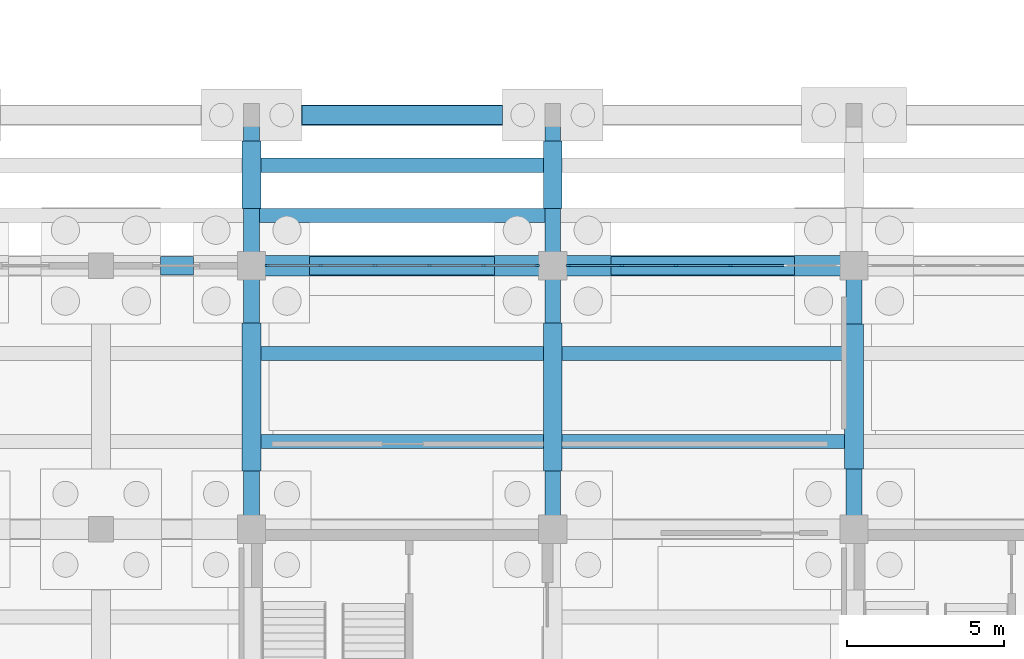
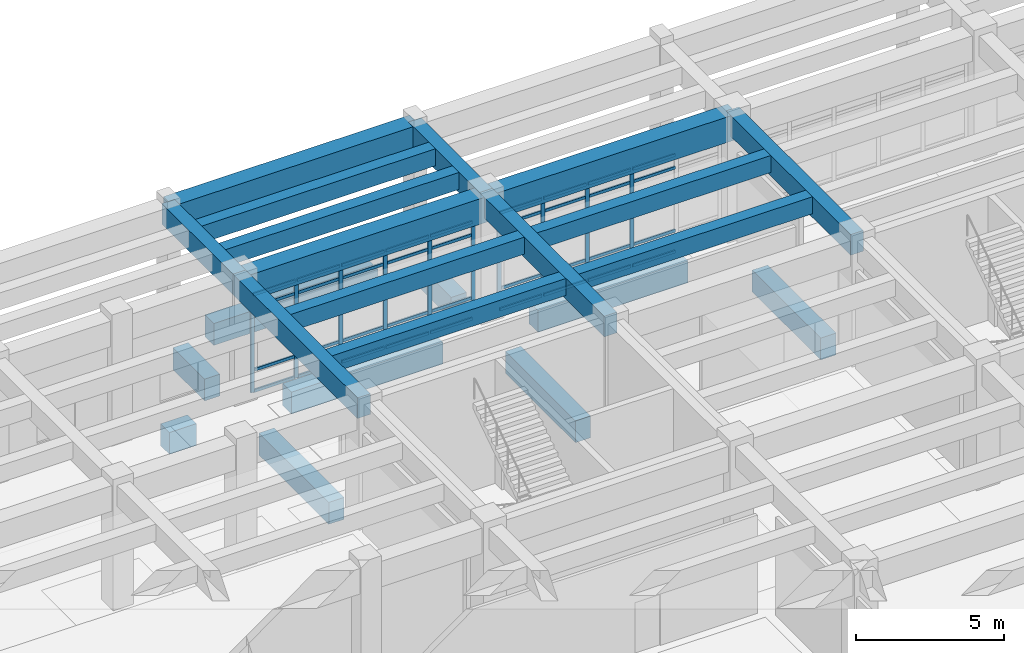
# One storey, part 25 of 102: 46 members, 23 beams, 2 elements without a shape of their own.
"""IFC4 building model written with IfcOpenShell, lengths in metres."""

from ifc_helpers import new_model, si_unit, direction, frame, origin, origin_2d, place, context, subcontext, project, spatial, rectangle, extrude, material, layer, layer_set, material_profile, profile_set, type_object, element, aggregate, save


model = new_model("IFC4")

# Units and contexts
model_context = context("Model", 3, precision=1e-05, world=origin(), true_north=direction((0.0, 1.0)))
body_context = subcontext(model_context, "Body", "Model", "MODEL_VIEW")
ifc_project = project(units=[si_unit("LENGTHUNIT", "METRE"), si_unit("AREAUNIT", "SQUARE_METRE"), si_unit("VOLUMEUNIT", "CUBIC_METRE"), si_unit("PLANEANGLEUNIT", "RADIAN"), si_unit("MASSUNIT", "GRAM", prefix="KILO")], contexts=[model_context])

# Site, building, storey
site_placement = place(None, origin())
site = spatial("IfcSite", under=ifc_project, at=site_placement, CompositionType="ELEMENT")
building_placement = place(site_placement, origin())
building = spatial("IfcBuilding", under=site, at=building_placement, Name="Kolvemor Railside Polytechnic", CompositionType="ELEMENT")
storey_placement = place(building_placement, origin())
storey = spatial("IfcBuildingStorey", under=building, at=storey_placement, Name="L00", CompositionType="ELEMENT", Elevation=0.0)

# Beams
ifc_material_1 = material(Name="Concrete C40/50", Category="concrete")
ifc_material_profile_1 = material_profile(ifc_material_1, rectangle(XDim=0.64990234375, YDim=1.050048828125, at=origin_2d()), Name="RC650x1050")
ifc_profile_set_1 = profile_set([ifc_material_profile_1], Name="Concrete C40/50")
beam_type_1 = type_object("IfcBeamType", Name="BM-RC-GIRD2", PredefinedType="BEAM", material=ifc_profile_set_1)
beam_1_placement = place(storey_placement, frame((67.199951171875, 38.39990234375, 4.5849609375), z_axis=(1.0, 0.0, 0.0), x_axis=(0.0, 1.0, 0.0)))
element("IfcBeam", 1, at=beam_1_placement, inside=storey, type_object=beam_type_1, Name="Primary Girder L01-GX 0229", PredefinedType="BEAM", context=body_context, shape_type="SweptSolid", body=[
    extrude(rectangle(XDim=0.64990234375, YDim=1.050048828125, at=origin_2d()), origin(), (0.0, 0.0, 1.0), 9.60009765625),
])
beam_2_placement = place(storey_placement, frame((76.800048828125, 38.39990234375, 4.5849609375), z_axis=(1.0, 0.0, 0.0), x_axis=(0.0, 1.0, 0.0)))
element("IfcBeam", 2, at=beam_2_placement, inside=storey, type_object=beam_type_1, Name="Primary Girder L01-GX 0230", PredefinedType="BEAM", context=body_context, shape_type="SweptSolid", body=[
    extrude(rectangle(XDim=0.64990234375, YDim=1.050048828125, at=origin_2d()), origin(), (0.0, 0.0, 1.0), 9.599853515625),
])
beam_3_placement = place(storey_placement, frame((67.199951171875, 43.199951171875, 4.5849609375), z_axis=(1.0, 0.0, 0.0), x_axis=(0.0, 1.0, 0.0)))
element("IfcBeam", 3, at=beam_3_placement, inside=storey, type_object=beam_type_1, Name="Primary Girder L01-GX 1836", PredefinedType="BEAM", context=body_context, shape_type="SweptSolid", body=[
    extrude(rectangle(XDim=0.64990234375, YDim=1.050048828125, at=origin_2d()), origin(), (0.0, 0.0, 1.0), 9.60009765625),
])
ifc_material_2 = material(Name="Concrete C40/50", Category="concrete")
ifc_material_profile_2 = material_profile(ifc_material_2, rectangle(XDim=0.5, YDim=0.85009765625, at=origin_2d()), Name="RC500x850")
ifc_profile_set_2 = profile_set([ifc_material_profile_2], Name="Concrete C40/50")
beam_type_2 = type_object("IfcBeamType", Name="BM-RC-GIRD3", PredefinedType="BEAM", material=ifc_profile_set_2)
for number, where, z_axis, x_axis, name in (
    (4, (67.199951171875, 30.0, 4.68505859375), (0.0, 1.0, 0.0), (-1.0, 0.0, 0.0), "Primary Girder L01-GY 0243"),
    (5, (76.800048828125, 30.0, 4.68505859375), (0.0, 1.0, 0.0), (-1.0, 0.0, 0.0), "Primary Girder L01-GY 0247"),
    (6, (86.39990234375, 30.0, 4.68505859375), (0.0, 1.0, 0.0), (-1.0, 0.0, 0.0), "Primary Girder L01-GY 0251"),
):
    element("IfcBeam", number, at=place(storey_placement, frame(where, z_axis=z_axis, x_axis=x_axis)), inside=storey, type_object=beam_type_2, Name=name, PredefinedType="BEAM", context=body_context, shape_type="SweptSolid", body=[
        extrude(rectangle(XDim=0.5, YDim=0.85009765625, at=origin_2d()), origin(), (0.0, 0.0, 1.0), 8.39990234375),
    ])
for number, where, z_axis, x_axis, name in (
    (7, (67.199951171875, 38.39990234375, 4.68505859375), (0.0, 1.0, 0.0), (-1.0, 0.0, 0.0), "Primary Girder L01-GY 1843"),
    (8, (76.800048828125, 38.39990234375, 4.68505859375), (0.0, 1.0, 0.0), (-1.0, 0.0, 0.0), "Primary Girder L01-GY 1844"),
):
    element("IfcBeam", number, at=place(storey_placement, frame(where, z_axis=z_axis, x_axis=x_axis)), inside=storey, type_object=beam_type_2, Name=name, PredefinedType="BEAM", context=body_context, shape_type="SweptSolid", body=[
        extrude(rectangle(XDim=0.5, YDim=0.85009765625, at=origin_2d()), origin(), (0.0, 0.0, 1.0), 4.800048828125),
    ])
ifc_material_3 = material(Name="Concrete C40/50", Category="concrete")
ifc_material_profile_3 = material_profile(ifc_material_3, rectangle(XDim=0.449951171875, YDim=0.699951171875, at=origin_2d()), Name="RC450x700")
ifc_profile_set_3 = profile_set([ifc_material_profile_3], Name="Concrete C40/50")
beam_type_3 = type_object("IfcBeamType", Name="BM-RC-SEC2", PredefinedType="JOIST", material=ifc_profile_set_3)
for number, where, z_axis, x_axis, name in (
    (9, (67.449951171875, 32.800048828125, 4.760009765625), (1.0, 0.0, 0.0), (0.0, 1.0, 0.0), "Floor Joist L01-J0292"),
    (10, (67.449951171875, 35.60009765625, 4.760009765625), (1.0, 0.0, 0.0), (0.0, 1.0, 0.0), "Floor Joist L01-J0293"),
):
    element("IfcBeam", number, at=place(storey_placement, frame(where, z_axis=z_axis, x_axis=x_axis)), inside=storey, type_object=beam_type_3, Name=name, PredefinedType="JOIST", context=body_context, shape_type="SweptSolid", body=[
        extrude(rectangle(XDim=0.449951171875, YDim=0.699951171875, at=origin_2d()), origin(), (0.0, 0.0, 1.0), 9.10009765625),
    ])
for number, where, z_axis, x_axis, name in (
    (11, (77.050048828125, 32.800048828125, 4.760009765625), (1.0, 0.0, 0.0), (0.0, 1.0, 0.0), "Floor Joist L01-J0300"),
    (12, (77.050048828125, 35.60009765625, 4.760009765625), (1.0, 0.0, 0.0), (0.0, 1.0, 0.0), "Floor Joist L01-J0301"),
):
    element("IfcBeam", number, at=place(storey_placement, frame(where, z_axis=z_axis, x_axis=x_axis)), inside=storey, type_object=beam_type_3, Name=name, PredefinedType="JOIST", context=body_context, shape_type="SweptSolid", body=[
        extrude(rectangle(XDim=0.449951171875, YDim=0.699951171875, at=origin_2d()), origin(), (0.0, 0.0, 1.0), 9.099853515625),
    ])
for number, where, z_axis, x_axis, name in (
    (13, (67.449951171875, 40.0, 4.760009765625), (1.0, 0.0, 0.0), (0.0, 1.0, 0.0), "Floor Joist L01-J1852"),
    (14, (67.449951171875, 41.60009765625, 4.760009765625), (1.0, 0.0, 0.0), (0.0, 1.0, 0.0), "Floor Joist L01-J1853"),
):
    element("IfcBeam", number, at=place(storey_placement, frame(where, z_axis=z_axis, x_axis=x_axis)), inside=storey, type_object=beam_type_3, Name=name, PredefinedType="JOIST", context=body_context, shape_type="SweptSolid", body=[
        extrude(rectangle(XDim=0.449951171875, YDim=0.699951171875, at=origin_2d()), origin(), (0.0, 0.0, 1.0), 9.10009765625),
    ])
ifc_material_4 = material(Name="Concrete C40/50", Category="concrete")
ifc_material_profile_4 = material_profile(ifc_material_4, rectangle(XDim=0.60009765625, YDim=0.89990234375, at=origin_2d()), Name="RC600x900")
ifc_profile_set_4 = profile_set([ifc_material_profile_4], Name="Concrete C40/50")
beam_type_4 = type_object("IfcBeamType", Name="BM-RC-TIE", PredefinedType="BEAM", material=ifc_profile_set_4)
beam_4_placement = place(storey_placement, frame((64.302001953125, 38.39990234375, -0.75), z_axis=(1.0, 0.0, 0.0), x_axis=(0.0, 1.0, 0.0)))
element("IfcBeam", 15, at=beam_4_placement, inside=storey, type_object=beam_type_4, Name="Ground Tie Beam GTB-X114", PredefinedType="BEAM", context=body_context, shape_type="SweptSolid", body=[
    extrude(rectangle(XDim=0.60009765625, YDim=0.89990234375, at=origin_2d()), origin(), (0.0, 0.0, 1.0), 1.0458984375),
])
beam_5_placement = place(storey_placement, frame((69.052001953125, 38.39990234375, -0.75), z_axis=(1.0, 0.0, 0.0), x_axis=(0.0, 1.0, 0.0)))
element("IfcBeam", 16, at=beam_5_placement, inside=storey, type_object=beam_type_4, Name="Ground Tie Beam GTB-X115", PredefinedType="BEAM", context=body_context, shape_type="SweptSolid", body=[
    extrude(rectangle(XDim=0.60009765625, YDim=0.89990234375, at=origin_2d()), origin(), (0.0, 0.0, 1.0), 5.89599609375),
])
beam_6_placement = place(storey_placement, frame((78.652099609375, 38.39990234375, -0.75), z_axis=(1.0, 0.0, 0.0), x_axis=(0.0, 1.0, 0.0)))
element("IfcBeam", 17, at=beam_6_placement, inside=storey, type_object=beam_type_4, Name="Ground Tie Beam GTB-X116", PredefinedType="BEAM", context=body_context, shape_type="SweptSolid", body=[
    extrude(rectangle(XDim=0.60009765625, YDim=0.89990234375, at=origin_2d()), origin(), (0.0, 0.0, 1.0), 5.845947265625),
])
beam_7_placement = place(storey_placement, frame((68.802001953125, 43.199951171875, -0.75), z_axis=(1.0, 0.0, 0.0), x_axis=(0.0, 1.0, 0.0)))
element("IfcBeam", 18, at=beam_7_placement, inside=storey, type_object=beam_type_4, Name="Ground Tie Beam GTB-X129", PredefinedType="BEAM", context=body_context, shape_type="SweptSolid", body=[
    extrude(rectangle(XDim=0.60009765625, YDim=0.89990234375, at=origin_2d()), origin(), (0.0, 0.0, 1.0), 6.39599609375),
])
beam_8_placement = place(storey_placement, frame((67.199951171875, 31.85205078125, -0.75), z_axis=(0.0, 1.0, 0.0), x_axis=(-1.0, 0.0, 0.0)))
element("IfcBeam", 19, at=beam_8_placement, inside=storey, type_object=beam_type_4, Name="Ground Tie Beam GTB-Y316", PredefinedType="BEAM", context=body_context, shape_type="SweptSolid", body=[
    extrude(rectangle(XDim=0.60009765625, YDim=0.89990234375, at=origin_2d()), origin(), (0.0, 0.0, 1.0), 4.720947265625),
])
beam_9_placement = place(storey_placement, frame((67.199951171875, 40.22705078125, -0.75), z_axis=(0.0, 1.0, 0.0), x_axis=(-1.0, 0.0, 0.0)))
element("IfcBeam", 20, at=beam_9_placement, inside=storey, type_object=beam_type_4, Name="Ground Tie Beam GTB-Y317", PredefinedType="BEAM", context=body_context, shape_type="SweptSolid", body=[
    extrude(rectangle(XDim=0.60009765625, YDim=0.89990234375, at=origin_2d()), origin(), (0.0, 0.0, 1.0), 2.14599609375),
])
beam_10_placement = place(storey_placement, frame((76.800048828125, 31.85205078125, -0.75), z_axis=(0.0, 1.0, 0.0), x_axis=(-1.0, 0.0, 0.0)))
element("IfcBeam", 21, at=beam_10_placement, inside=storey, type_object=beam_type_4, Name="Ground Tie Beam GTB-Y326", PredefinedType="BEAM", context=body_context, shape_type="SweptSolid", body=[
    extrude(rectangle(XDim=0.60009765625, YDim=0.89990234375, at=origin_2d()), origin(), (0.0, 0.0, 1.0), 4.720947265625),
])
beam_11_placement = place(storey_placement, frame((76.800048828125, 40.22705078125, -0.75), z_axis=(0.0, 1.0, 0.0), x_axis=(-1.0, 0.0, 0.0)))
element("IfcBeam", 22, at=beam_11_placement, inside=storey, type_object=beam_type_4, Name="Ground Tie Beam GTB-Y327", PredefinedType="BEAM", context=body_context, shape_type="SweptSolid", body=[
    extrude(rectangle(XDim=0.60009765625, YDim=0.89990234375, at=origin_2d()), origin(), (0.0, 0.0, 1.0), 2.14599609375),
])
beam_12_placement = place(storey_placement, frame((86.39990234375, 31.927001953125, -0.75), z_axis=(0.0, 1.0, 0.0), x_axis=(-1.0, 0.0, 0.0)))
element("IfcBeam", 23, at=beam_12_placement, inside=storey, type_object=beam_type_4, Name="Ground Tie Beam GTB-Y336", PredefinedType="BEAM", context=body_context, shape_type="SweptSolid", body=[
    extrude(rectangle(XDim=0.60009765625, YDim=0.89990234375, at=origin_2d()), origin(), (0.0, 0.0, 1.0), 4.62109375),
])

# Curtain wall, members
ifc_material_5 = material(Name="Anodised marine aluminium and laminated low-E glass", Category="aluminium")
ifc_layer = layer(ifc_material_5, 0.179931640625, Name="CW-UNIT-STD")
ifc_layer_set = layer_set([ifc_layer], Name="Anodised marine aluminium and laminated low-E glass")
curtain_wall_type = type_object("IfcCurtainWallType", Name="CW-UNIT-STD", PredefinedType="USERDEFINED", material=ifc_layer_set)
curtain_wall_1_placement = place(storey_placement, origin())
curtain_wall_1 = element("IfcCurtainWall", 24, at=curtain_wall_1_placement, inside=storey, type_object=curtain_wall_type, Name="Curtain Wall L00-107", ObjectType="UNITISED CURTAIN WALL", PredefinedType="USERDEFINED")
ifc_material_6 = material(Name="Anodised marine aluminium 6063-T6", Category="aluminium")
ifc_material_profile_5 = material_profile(ifc_material_6, rectangle(XDim=0.06494140625, YDim=0.14990234375, at=origin_2d()), Name="CW-MUL-65x150")
ifc_profile_set_5 = profile_set([ifc_material_profile_5], Name="Anodised marine aluminium 6063-T6")
member_type_1 = type_object("IfcMemberType", Name="CWM-65x150", PredefinedType="MULLION", material=ifc_profile_set_5)
member_1_placement = place(storey_placement, frame((76.297607421875, 38.39990234375, 0.0), z_axis=(0.0, 0.0, 1.0), x_axis=(0.0, -1.0, 0.0)))
member_1 = element("IfcMember", 25, at=member_1_placement, type_object=member_type_1, Name="CW-STD mullion 1", PredefinedType="MULLION", context=body_context, shape_type="SweptSolid", body=[
    extrude(rectangle(XDim=0.06494140625, YDim=0.14990234375, at=origin_2d()), origin(), (0.0, 0.0, 1.0), 4.0400390625),
])
member_2_placement = place(storey_placement, frame((74.597900390625, 38.39990234375, 0.0), z_axis=(0.0, 0.0, 1.0), x_axis=(0.0, -1.0, 0.0)))
member_2 = element("IfcMember", 26, at=member_2_placement, type_object=member_type_1, Name="CW-STD mullion 2", PredefinedType="MULLION", context=body_context, shape_type="SweptSolid", body=[
    extrude(rectangle(XDim=0.06494140625, YDim=0.14990234375, at=origin_2d()), origin(), (0.0, 0.0, 1.0), 4.0400390625),
])
member_3_placement = place(storey_placement, frame((72.865966796875, 38.39990234375, 0.0), z_axis=(0.0, 0.0, 1.0), x_axis=(0.0, -1.0, 0.0)))
member_3 = element("IfcMember", 27, at=member_3_placement, type_object=member_type_1, Name="CW-STD mullion 3", PredefinedType="MULLION", context=body_context, shape_type="SweptSolid", body=[
    extrude(rectangle(XDim=0.06494140625, YDim=0.14990234375, at=origin_2d()), origin(), (0.0, 0.0, 1.0), 4.0400390625),
])
member_4_placement = place(storey_placement, frame((71.134033203125, 38.39990234375, 0.0), z_axis=(0.0, 0.0, 1.0), x_axis=(0.0, -1.0, 0.0)))
member_4 = element("IfcMember", 28, at=member_4_placement, type_object=member_type_1, Name="CW-STD mullion 4", PredefinedType="MULLION", context=body_context, shape_type="SweptSolid", body=[
    extrude(rectangle(XDim=0.06494140625, YDim=0.14990234375, at=origin_2d()), origin(), (0.0, 0.0, 1.0), 4.0400390625),
])
member_5_placement = place(storey_placement, frame((69.402099609375, 38.39990234375, 0.0), z_axis=(0.0, 0.0, 1.0), x_axis=(0.0, -1.0, 0.0)))
member_5 = element("IfcMember", 29, at=member_5_placement, type_object=member_type_1, Name="CW-STD mullion 5", PredefinedType="MULLION", context=body_context, shape_type="SweptSolid", body=[
    extrude(rectangle(XDim=0.06494140625, YDim=0.14990234375, at=origin_2d()), origin(), (0.0, 0.0, 1.0), 4.0400390625),
])
member_6_placement = place(storey_placement, frame((67.702392578125, 38.39990234375, 0.0), z_axis=(0.0, 0.0, 1.0), x_axis=(0.0, -1.0, 0.0)))
member_6 = element("IfcMember", 30, at=member_6_placement, type_object=member_type_1, Name="CW-STD mullion 6", PredefinedType="MULLION", context=body_context, shape_type="SweptSolid", body=[
    extrude(rectangle(XDim=0.06494140625, YDim=0.14990234375, at=origin_2d()), origin(), (0.0, 0.0, 1.0), 4.0400390625),
])

curtain_wall_2_placement = place(storey_placement, origin())
curtain_wall_2 = element("IfcCurtainWall", 31, at=curtain_wall_2_placement, inside=storey, type_object=curtain_wall_type, Name="Curtain Wall L00-108", ObjectType="UNITISED CURTAIN WALL", PredefinedType="USERDEFINED")
member_7_placement = place(storey_placement, frame((82.466064453125, 38.39990234375, 0.0), z_axis=(0.0, 0.0, 1.0), x_axis=(0.0, -1.0, 0.0)))
member_7 = element("IfcMember", 32, at=member_7_placement, type_object=member_type_1, Name="CW-STD mullion 3", PredefinedType="MULLION", context=body_context, shape_type="SweptSolid", body=[
    extrude(rectangle(XDim=0.06494140625, YDim=0.14990234375, at=origin_2d()), origin(), (0.0, 0.0, 1.0), 4.0400390625),
])
member_8_placement = place(storey_placement, frame((80.73388671875, 38.39990234375, 0.0), z_axis=(0.0, 0.0, 1.0), x_axis=(0.0, -1.0, 0.0)))
member_8 = element("IfcMember", 33, at=member_8_placement, type_object=member_type_1, Name="CW-STD mullion 4", PredefinedType="MULLION", context=body_context, shape_type="SweptSolid", body=[
    extrude(rectangle(XDim=0.06494140625, YDim=0.14990234375, at=origin_2d()), origin(), (0.0, 0.0, 1.0), 4.0400390625),
])
member_9_placement = place(storey_placement, frame((79.001953125, 38.39990234375, 0.0), z_axis=(0.0, 0.0, 1.0), x_axis=(0.0, -1.0, 0.0)))
member_9 = element("IfcMember", 34, at=member_9_placement, type_object=member_type_1, Name="CW-STD mullion 5", PredefinedType="MULLION", context=body_context, shape_type="SweptSolid", body=[
    extrude(rectangle(XDim=0.06494140625, YDim=0.14990234375, at=origin_2d()), origin(), (0.0, 0.0, 1.0), 4.0400390625),
])
member_10_placement = place(storey_placement, frame((77.302490234375, 38.39990234375, 0.0), z_axis=(0.0, 0.0, 1.0), x_axis=(0.0, -1.0, 0.0)))
member_10 = element("IfcMember", 35, at=member_10_placement, type_object=member_type_1, Name="CW-STD mullion 6", PredefinedType="MULLION", context=body_context, shape_type="SweptSolid", body=[
    extrude(rectangle(XDim=0.06494140625, YDim=0.14990234375, at=origin_2d()), origin(), (0.0, 0.0, 1.0), 4.0400390625),
])

# Member
ifc_material_7 = material(Name="Anodised marine aluminium 6063-T6", Category="aluminium")
ifc_material_profile_6 = material_profile(ifc_material_7, rectangle(XDim=0.06494140625, YDim=0.1201171875, at=origin_2d()), Name="CW-TRN-65x120")
ifc_profile_set_6 = profile_set([ifc_material_profile_6], Name="Anodised marine aluminium 6063-T6")
member_type_2 = type_object("IfcMemberType", Name="CWT-65x120", PredefinedType="USERDEFINED", material=ifc_profile_set_6)
member_11_placement = place(storey_placement, frame((76.264892578125, 38.39990234375, 0.032470703125), z_axis=(-1.0, 0.0, 0.0), x_axis=(0.0, -1.0, 0.0)))
member_11 = element("IfcMember", 36, at=member_11_placement, type_object=member_type_2, Name="CW-STD transom 1.1", ObjectType="TRANSOM", PredefinedType="USERDEFINED", context=body_context, shape_type="SweptSolid", body=[
    extrude(rectangle(XDim=0.06494140625, YDim=0.1201171875, at=origin_2d()), origin(), (0.0, 0.0, 1.0), 1.63427734375),
])

member_12_placement = place(storey_placement, frame((76.264892578125, 38.39990234375, 0.89990234375), z_axis=(-1.0, 0.0, 0.0), x_axis=(0.0, -1.0, 0.0)))
member_12 = element("IfcMember", 37, at=member_12_placement, type_object=member_type_2, Name="CW-STD transom 1.2", ObjectType="TRANSOM", PredefinedType="USERDEFINED", context=body_context, shape_type="SweptSolid", body=[
    extrude(rectangle(XDim=0.06494140625, YDim=0.1201171875, at=origin_2d()), origin(), (0.0, 0.0, 1.0), 1.63427734375),
])

member_13_placement = place(storey_placement, frame((76.264892578125, 38.39990234375, 3.489990234375), z_axis=(-1.0, 0.0, 0.0), x_axis=(0.0, -1.0, 0.0)))
member_13 = element("IfcMember", 38, at=member_13_placement, type_object=member_type_2, Name="CW-STD transom 1.3", ObjectType="TRANSOM", PredefinedType="USERDEFINED", context=body_context, shape_type="SweptSolid", body=[
    extrude(rectangle(XDim=0.06494140625, YDim=0.1201171875, at=origin_2d()), origin(), (0.0, 0.0, 1.0), 1.63427734375),
])

member_14_placement = place(storey_placement, frame((76.264892578125, 38.39990234375, 4.007568359375), z_axis=(-1.0, 0.0, 0.0), x_axis=(0.0, -1.0, 0.0)))
member_14 = element("IfcMember", 39, at=member_14_placement, type_object=member_type_2, Name="CW-STD transom 1.4", ObjectType="TRANSOM", PredefinedType="USERDEFINED", context=body_context, shape_type="SweptSolid", body=[
    extrude(rectangle(XDim=0.06494140625, YDim=0.1201171875, at=origin_2d()), origin(), (0.0, 0.0, 1.0), 1.63427734375),
])

member_15_placement = place(storey_placement, frame((74.5654296875, 38.39990234375, 0.032470703125), z_axis=(-1.0, 0.0, 0.0), x_axis=(0.0, -1.0, 0.0)))
member_15 = element("IfcMember", 40, at=member_15_placement, type_object=member_type_2, Name="CW-STD transom 2.1", ObjectType="TRANSOM", PredefinedType="USERDEFINED", context=body_context, shape_type="SweptSolid", body=[
    extrude(rectangle(XDim=0.06494140625, YDim=0.1201171875, at=origin_2d()), origin(), (0.0, 0.0, 1.0), 1.6669921875),
])

member_16_placement = place(storey_placement, frame((74.5654296875, 38.39990234375, 0.89990234375), z_axis=(-1.0, 0.0, 0.0), x_axis=(0.0, -1.0, 0.0)))
member_16 = element("IfcMember", 41, at=member_16_placement, type_object=member_type_2, Name="CW-STD transom 2.2", ObjectType="TRANSOM", PredefinedType="USERDEFINED", context=body_context, shape_type="SweptSolid", body=[
    extrude(rectangle(XDim=0.06494140625, YDim=0.1201171875, at=origin_2d()), origin(), (0.0, 0.0, 1.0), 1.6669921875),
])

member_17_placement = place(storey_placement, frame((74.5654296875, 38.39990234375, 3.489990234375), z_axis=(-1.0, 0.0, 0.0), x_axis=(0.0, -1.0, 0.0)))
member_17 = element("IfcMember", 42, at=member_17_placement, type_object=member_type_2, Name="CW-STD transom 2.3", ObjectType="TRANSOM", PredefinedType="USERDEFINED", context=body_context, shape_type="SweptSolid", body=[
    extrude(rectangle(XDim=0.06494140625, YDim=0.1201171875, at=origin_2d()), origin(), (0.0, 0.0, 1.0), 1.6669921875),
])

member_18_placement = place(storey_placement, frame((74.5654296875, 38.39990234375, 4.007568359375), z_axis=(-1.0, 0.0, 0.0), x_axis=(0.0, -1.0, 0.0)))
member_18 = element("IfcMember", 43, at=member_18_placement, type_object=member_type_2, Name="CW-STD transom 2.4", ObjectType="TRANSOM", PredefinedType="USERDEFINED", context=body_context, shape_type="SweptSolid", body=[
    extrude(rectangle(XDim=0.06494140625, YDim=0.1201171875, at=origin_2d()), origin(), (0.0, 0.0, 1.0), 1.6669921875),
])

member_19_placement = place(storey_placement, frame((72.83349609375, 38.39990234375, 0.032470703125), z_axis=(-1.0, 0.0, 0.0), x_axis=(0.0, -1.0, 0.0)))
member_19 = element("IfcMember", 44, at=member_19_placement, type_object=member_type_2, Name="CW-STD transom 3.1", ObjectType="TRANSOM", PredefinedType="USERDEFINED", context=body_context, shape_type="SweptSolid", body=[
    extrude(rectangle(XDim=0.06494140625, YDim=0.1201171875, at=origin_2d()), origin(), (0.0, 0.0, 1.0), 1.6669921875),
])

member_20_placement = place(storey_placement, frame((72.83349609375, 38.39990234375, 0.89990234375), z_axis=(-1.0, 0.0, 0.0), x_axis=(0.0, -1.0, 0.0)))
member_20 = element("IfcMember", 45, at=member_20_placement, type_object=member_type_2, Name="CW-STD transom 3.2", ObjectType="TRANSOM", PredefinedType="USERDEFINED", context=body_context, shape_type="SweptSolid", body=[
    extrude(rectangle(XDim=0.06494140625, YDim=0.1201171875, at=origin_2d()), origin(), (0.0, 0.0, 1.0), 1.6669921875),
])

member_21_placement = place(storey_placement, frame((72.83349609375, 38.39990234375, 3.489990234375), z_axis=(-1.0, 0.0, 0.0), x_axis=(0.0, -1.0, 0.0)))
member_21 = element("IfcMember", 46, at=member_21_placement, type_object=member_type_2, Name="CW-STD transom 3.3", ObjectType="TRANSOM", PredefinedType="USERDEFINED", context=body_context, shape_type="SweptSolid", body=[
    extrude(rectangle(XDim=0.06494140625, YDim=0.1201171875, at=origin_2d()), origin(), (0.0, 0.0, 1.0), 1.6669921875),
])

member_22_placement = place(storey_placement, frame((72.83349609375, 38.39990234375, 4.007568359375), z_axis=(-1.0, 0.0, 0.0), x_axis=(0.0, -1.0, 0.0)))
member_22 = element("IfcMember", 47, at=member_22_placement, type_object=member_type_2, Name="CW-STD transom 3.4", ObjectType="TRANSOM", PredefinedType="USERDEFINED", context=body_context, shape_type="SweptSolid", body=[
    extrude(rectangle(XDim=0.06494140625, YDim=0.1201171875, at=origin_2d()), origin(), (0.0, 0.0, 1.0), 1.6669921875),
])

member_23_placement = place(storey_placement, frame((71.1015625, 38.39990234375, 0.032470703125), z_axis=(-1.0, 0.0, 0.0), x_axis=(0.0, -1.0, 0.0)))
member_23 = element("IfcMember", 48, at=member_23_placement, type_object=member_type_2, Name="CW-STD transom 4.1", ObjectType="TRANSOM", PredefinedType="USERDEFINED", context=body_context, shape_type="SweptSolid", body=[
    extrude(rectangle(XDim=0.06494140625, YDim=0.1201171875, at=origin_2d()), origin(), (0.0, 0.0, 1.0), 1.6669921875),
])

member_24_placement = place(storey_placement, frame((71.1015625, 38.39990234375, 0.89990234375), z_axis=(-1.0, 0.0, 0.0), x_axis=(0.0, -1.0, 0.0)))
member_24 = element("IfcMember", 49, at=member_24_placement, type_object=member_type_2, Name="CW-STD transom 4.2", ObjectType="TRANSOM", PredefinedType="USERDEFINED", context=body_context, shape_type="SweptSolid", body=[
    extrude(rectangle(XDim=0.06494140625, YDim=0.1201171875, at=origin_2d()), origin(), (0.0, 0.0, 1.0), 1.6669921875),
])

member_25_placement = place(storey_placement, frame((71.1015625, 38.39990234375, 3.489990234375), z_axis=(-1.0, 0.0, 0.0), x_axis=(0.0, -1.0, 0.0)))
member_25 = element("IfcMember", 50, at=member_25_placement, type_object=member_type_2, Name="CW-STD transom 4.3", ObjectType="TRANSOM", PredefinedType="USERDEFINED", context=body_context, shape_type="SweptSolid", body=[
    extrude(rectangle(XDim=0.06494140625, YDim=0.1201171875, at=origin_2d()), origin(), (0.0, 0.0, 1.0), 1.6669921875),
])

member_26_placement = place(storey_placement, frame((71.1015625, 38.39990234375, 4.007568359375), z_axis=(-1.0, 0.0, 0.0), x_axis=(0.0, -1.0, 0.0)))
member_26 = element("IfcMember", 51, at=member_26_placement, type_object=member_type_2, Name="CW-STD transom 4.4", ObjectType="TRANSOM", PredefinedType="USERDEFINED", context=body_context, shape_type="SweptSolid", body=[
    extrude(rectangle(XDim=0.06494140625, YDim=0.1201171875, at=origin_2d()), origin(), (0.0, 0.0, 1.0), 1.6669921875),
])

member_27_placement = place(storey_placement, frame((69.369384765625, 38.39990234375, 0.032470703125), z_axis=(-1.0, 0.0, 0.0), x_axis=(0.0, -1.0, 0.0)))
member_27 = element("IfcMember", 52, at=member_27_placement, type_object=member_type_2, Name="CW-STD transom 5.1", ObjectType="TRANSOM", PredefinedType="USERDEFINED", context=body_context, shape_type="SweptSolid", body=[
    extrude(rectangle(XDim=0.06494140625, YDim=0.1201171875, at=origin_2d()), origin(), (0.0, 0.0, 1.0), 1.63427734375),
])

member_28_placement = place(storey_placement, frame((69.369384765625, 38.39990234375, 0.89990234375), z_axis=(-1.0, 0.0, 0.0), x_axis=(0.0, -1.0, 0.0)))
member_28 = element("IfcMember", 53, at=member_28_placement, type_object=member_type_2, Name="CW-STD transom 5.2", ObjectType="TRANSOM", PredefinedType="USERDEFINED", context=body_context, shape_type="SweptSolid", body=[
    extrude(rectangle(XDim=0.06494140625, YDim=0.1201171875, at=origin_2d()), origin(), (0.0, 0.0, 1.0), 1.63427734375),
])

member_29_placement = place(storey_placement, frame((69.369384765625, 38.39990234375, 3.489990234375), z_axis=(-1.0, 0.0, 0.0), x_axis=(0.0, -1.0, 0.0)))
member_29 = element("IfcMember", 54, at=member_29_placement, type_object=member_type_2, Name="CW-STD transom 5.3", ObjectType="TRANSOM", PredefinedType="USERDEFINED", context=body_context, shape_type="SweptSolid", body=[
    extrude(rectangle(XDim=0.06494140625, YDim=0.1201171875, at=origin_2d()), origin(), (0.0, 0.0, 1.0), 1.63427734375),
])

member_30_placement = place(storey_placement, frame((69.369384765625, 38.39990234375, 4.007568359375), z_axis=(-1.0, 0.0, 0.0), x_axis=(0.0, -1.0, 0.0)))
member_30 = element("IfcMember", 55, at=member_30_placement, type_object=member_type_2, Name="CW-STD transom 5.4", ObjectType="TRANSOM", PredefinedType="USERDEFINED", context=body_context, shape_type="SweptSolid", body=[
    extrude(rectangle(XDim=0.06494140625, YDim=0.1201171875, at=origin_2d()), origin(), (0.0, 0.0, 1.0), 1.63427734375),
])

aggregate(curtain_wall_1, [member_1, member_2, member_3, member_4, member_5, member_6, member_11, member_12, member_13, member_14, member_15, member_16, member_17, member_18, member_19, member_20, member_21, member_22, member_23, member_24, member_25, member_26, member_27, member_28, member_29, member_30])

member_31_placement = place(storey_placement, frame((84.16552734375, 38.39990234375, 0.032470703125), z_axis=(-1.0, 0.0, 0.0), x_axis=(0.0, -1.0, 0.0)))
member_31 = element("IfcMember", 56, at=member_31_placement, type_object=member_type_2, Name="CW-STD transom 2.1", ObjectType="TRANSOM", PredefinedType="USERDEFINED", context=body_context, shape_type="SweptSolid", body=[
    extrude(rectangle(XDim=0.06494140625, YDim=0.1201171875, at=origin_2d()), origin(), (0.0, 0.0, 1.0), 1.6669921875),
])

member_32_placement = place(storey_placement, frame((84.16552734375, 38.39990234375, 0.89990234375), z_axis=(-1.0, 0.0, 0.0), x_axis=(0.0, -1.0, 0.0)))
member_32 = element("IfcMember", 57, at=member_32_placement, type_object=member_type_2, Name="CW-STD transom 2.2", ObjectType="TRANSOM", PredefinedType="USERDEFINED", context=body_context, shape_type="SweptSolid", body=[
    extrude(rectangle(XDim=0.06494140625, YDim=0.1201171875, at=origin_2d()), origin(), (0.0, 0.0, 1.0), 1.6669921875),
])

member_33_placement = place(storey_placement, frame((84.16552734375, 38.39990234375, 3.489990234375), z_axis=(-1.0, 0.0, 0.0), x_axis=(0.0, -1.0, 0.0)))
member_33 = element("IfcMember", 58, at=member_33_placement, type_object=member_type_2, Name="CW-STD transom 2.3", ObjectType="TRANSOM", PredefinedType="USERDEFINED", context=body_context, shape_type="SweptSolid", body=[
    extrude(rectangle(XDim=0.06494140625, YDim=0.1201171875, at=origin_2d()), origin(), (0.0, 0.0, 1.0), 1.6669921875),
])

member_34_placement = place(storey_placement, frame((84.16552734375, 38.39990234375, 4.007568359375), z_axis=(-1.0, 0.0, 0.0), x_axis=(0.0, -1.0, 0.0)))
member_34 = element("IfcMember", 59, at=member_34_placement, type_object=member_type_2, Name="CW-STD transom 2.4", ObjectType="TRANSOM", PredefinedType="USERDEFINED", context=body_context, shape_type="SweptSolid", body=[
    extrude(rectangle(XDim=0.06494140625, YDim=0.1201171875, at=origin_2d()), origin(), (0.0, 0.0, 1.0), 1.6669921875),
])

member_35_placement = place(storey_placement, frame((82.43359375, 38.39990234375, 0.032470703125), z_axis=(-1.0, 0.0, 0.0), x_axis=(0.0, -1.0, 0.0)))
member_35 = element("IfcMember", 60, at=member_35_placement, type_object=member_type_2, Name="CW-STD transom 3.1", ObjectType="TRANSOM", PredefinedType="USERDEFINED", context=body_context, shape_type="SweptSolid", body=[
    extrude(rectangle(XDim=0.06494140625, YDim=0.1201171875, at=origin_2d()), origin(), (0.0, 0.0, 1.0), 1.6669921875),
])

member_36_placement = place(storey_placement, frame((82.43359375, 38.39990234375, 0.89990234375), z_axis=(-1.0, 0.0, 0.0), x_axis=(0.0, -1.0, 0.0)))
member_36 = element("IfcMember", 61, at=member_36_placement, type_object=member_type_2, Name="CW-STD transom 3.2", ObjectType="TRANSOM", PredefinedType="USERDEFINED", context=body_context, shape_type="SweptSolid", body=[
    extrude(rectangle(XDim=0.06494140625, YDim=0.1201171875, at=origin_2d()), origin(), (0.0, 0.0, 1.0), 1.6669921875),
])

member_37_placement = place(storey_placement, frame((82.43359375, 38.39990234375, 3.489990234375), z_axis=(-1.0, 0.0, 0.0), x_axis=(0.0, -1.0, 0.0)))
member_37 = element("IfcMember", 62, at=member_37_placement, type_object=member_type_2, Name="CW-STD transom 3.3", ObjectType="TRANSOM", PredefinedType="USERDEFINED", context=body_context, shape_type="SweptSolid", body=[
    extrude(rectangle(XDim=0.06494140625, YDim=0.1201171875, at=origin_2d()), origin(), (0.0, 0.0, 1.0), 1.6669921875),
])

member_38_placement = place(storey_placement, frame((82.43359375, 38.39990234375, 4.007568359375), z_axis=(-1.0, 0.0, 0.0), x_axis=(0.0, -1.0, 0.0)))
member_38 = element("IfcMember", 63, at=member_38_placement, type_object=member_type_2, Name="CW-STD transom 3.4", ObjectType="TRANSOM", PredefinedType="USERDEFINED", context=body_context, shape_type="SweptSolid", body=[
    extrude(rectangle(XDim=0.06494140625, YDim=0.1201171875, at=origin_2d()), origin(), (0.0, 0.0, 1.0), 1.6669921875),
])

member_39_placement = place(storey_placement, frame((80.701416015625, 38.39990234375, 0.032470703125), z_axis=(-1.0, 0.0, 0.0), x_axis=(0.0, -1.0, 0.0)))
member_39 = element("IfcMember", 64, at=member_39_placement, type_object=member_type_2, Name="CW-STD transom 4.1", ObjectType="TRANSOM", PredefinedType="USERDEFINED", context=body_context, shape_type="SweptSolid", body=[
    extrude(rectangle(XDim=0.06494140625, YDim=0.1201171875, at=origin_2d()), origin(), (0.0, 0.0, 1.0), 1.6669921875),
])

member_40_placement = place(storey_placement, frame((80.701416015625, 38.39990234375, 0.89990234375), z_axis=(-1.0, 0.0, 0.0), x_axis=(0.0, -1.0, 0.0)))
member_40 = element("IfcMember", 65, at=member_40_placement, type_object=member_type_2, Name="CW-STD transom 4.2", ObjectType="TRANSOM", PredefinedType="USERDEFINED", context=body_context, shape_type="SweptSolid", body=[
    extrude(rectangle(XDim=0.06494140625, YDim=0.1201171875, at=origin_2d()), origin(), (0.0, 0.0, 1.0), 1.6669921875),
])

member_41_placement = place(storey_placement, frame((80.701416015625, 38.39990234375, 3.489990234375), z_axis=(-1.0, 0.0, 0.0), x_axis=(0.0, -1.0, 0.0)))
member_41 = element("IfcMember", 66, at=member_41_placement, type_object=member_type_2, Name="CW-STD transom 4.3", ObjectType="TRANSOM", PredefinedType="USERDEFINED", context=body_context, shape_type="SweptSolid", body=[
    extrude(rectangle(XDim=0.06494140625, YDim=0.1201171875, at=origin_2d()), origin(), (0.0, 0.0, 1.0), 1.6669921875),
])

member_42_placement = place(storey_placement, frame((80.701416015625, 38.39990234375, 4.007568359375), z_axis=(-1.0, 0.0, 0.0), x_axis=(0.0, -1.0, 0.0)))
member_42 = element("IfcMember", 67, at=member_42_placement, type_object=member_type_2, Name="CW-STD transom 4.4", ObjectType="TRANSOM", PredefinedType="USERDEFINED", context=body_context, shape_type="SweptSolid", body=[
    extrude(rectangle(XDim=0.06494140625, YDim=0.1201171875, at=origin_2d()), origin(), (0.0, 0.0, 1.0), 1.6669921875),
])

member_43_placement = place(storey_placement, frame((78.969482421875, 38.39990234375, 0.032470703125), z_axis=(-1.0, 0.0, 0.0), x_axis=(0.0, -1.0, 0.0)))
member_43 = element("IfcMember", 68, at=member_43_placement, type_object=member_type_2, Name="CW-STD transom 5.1", ObjectType="TRANSOM", PredefinedType="USERDEFINED", context=body_context, shape_type="SweptSolid", body=[
    extrude(rectangle(XDim=0.06494140625, YDim=0.1201171875, at=origin_2d()), origin(), (0.0, 0.0, 1.0), 1.634521484375),
])

member_44_placement = place(storey_placement, frame((78.969482421875, 38.39990234375, 0.89990234375), z_axis=(-1.0, 0.0, 0.0), x_axis=(0.0, -1.0, 0.0)))
member_44 = element("IfcMember", 69, at=member_44_placement, type_object=member_type_2, Name="CW-STD transom 5.2", ObjectType="TRANSOM", PredefinedType="USERDEFINED", context=body_context, shape_type="SweptSolid", body=[
    extrude(rectangle(XDim=0.06494140625, YDim=0.1201171875, at=origin_2d()), origin(), (0.0, 0.0, 1.0), 1.634521484375),
])

member_45_placement = place(storey_placement, frame((78.969482421875, 38.39990234375, 3.489990234375), z_axis=(-1.0, 0.0, 0.0), x_axis=(0.0, -1.0, 0.0)))
member_45 = element("IfcMember", 70, at=member_45_placement, type_object=member_type_2, Name="CW-STD transom 5.3", ObjectType="TRANSOM", PredefinedType="USERDEFINED", context=body_context, shape_type="SweptSolid", body=[
    extrude(rectangle(XDim=0.06494140625, YDim=0.1201171875, at=origin_2d()), origin(), (0.0, 0.0, 1.0), 1.634521484375),
])

member_46_placement = place(storey_placement, frame((78.969482421875, 38.39990234375, 4.007568359375), z_axis=(-1.0, 0.0, 0.0), x_axis=(0.0, -1.0, 0.0)))
member_46 = element("IfcMember", 71, at=member_46_placement, type_object=member_type_2, Name="CW-STD transom 5.4", ObjectType="TRANSOM", PredefinedType="USERDEFINED", context=body_context, shape_type="SweptSolid", body=[
    extrude(rectangle(XDim=0.06494140625, YDim=0.1201171875, at=origin_2d()), origin(), (0.0, 0.0, 1.0), 1.634521484375),
])

aggregate(curtain_wall_2, [member_7, member_8, member_9, member_10, member_31, member_32, member_33, member_34, member_35, member_36, member_37, member_38, member_39, member_40, member_41, member_42, member_43, member_44, member_45, member_46])

save(model, "model.ifc")
